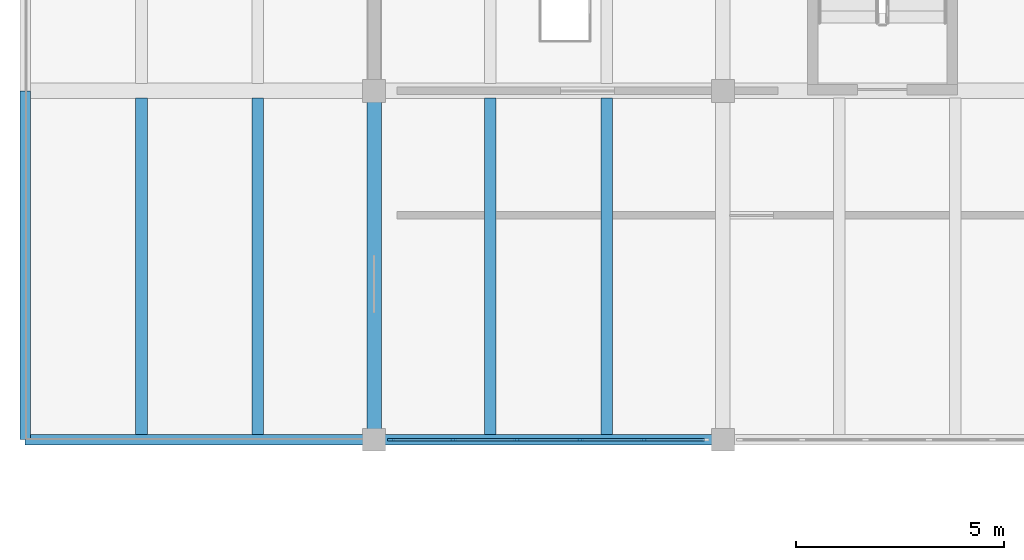
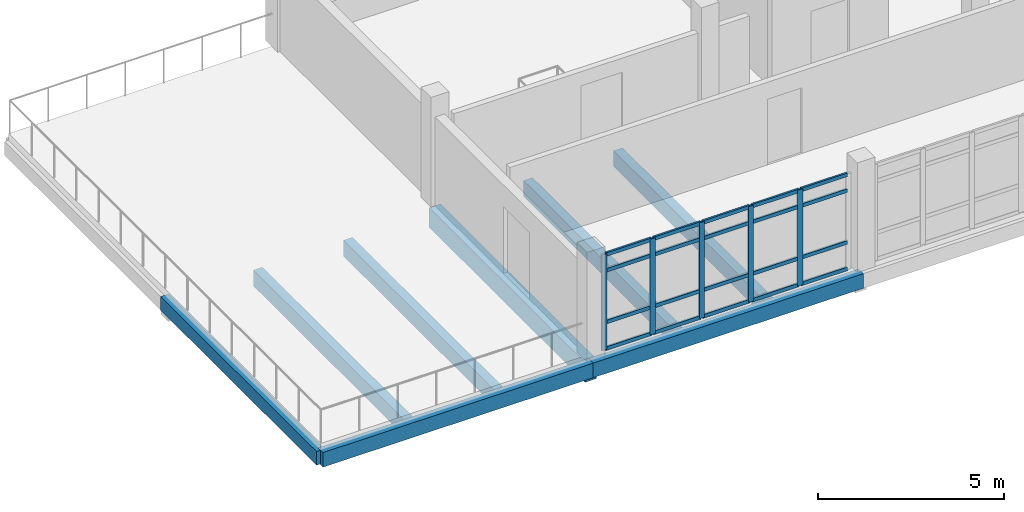
# One storey, part 3 of 30: 25 members, 8 beams, 1 element without a shape of its own.
"""IFC4 building model written with IfcOpenShell, lengths in metres."""

from ifc_helpers import new_model, si_unit, direction, frame, origin, origin_2d, place, context, subcontext, project, spatial, rectangle, extrude, material, material_profile, profile_set, type_object, element, aggregate, save


model = new_model("IFC4")

# Units and contexts
model_context = context("Model", 3, precision=1e-05, world=origin(), true_north=direction((0.0, 1.0)))
body_context = subcontext(model_context, "Body", "Model", "MODEL_VIEW")
ifc_project = project(units=[si_unit("LENGTHUNIT", "METRE"), si_unit("AREAUNIT", "SQUARE_METRE"), si_unit("VOLUMEUNIT", "CUBIC_METRE"), si_unit("PLANEANGLEUNIT", "RADIAN"), si_unit("MASSUNIT", "GRAM", prefix="KILO")], contexts=[model_context])

# Site, building, storey
site_placement = place(None, origin())
site = spatial("IfcSite", under=ifc_project, at=site_placement, CompositionType="ELEMENT")
building_placement = place(site_placement, origin())
building = spatial("IfcBuilding", under=site, at=building_placement, Name="Cinderway Yard Community Centre", CompositionType="ELEMENT")
storey_placement = place(building_placement, frame((0.0, 0.0, 16.5)))
storey = spatial("IfcBuildingStorey", under=building, at=storey_placement, Name="L04", CompositionType="ELEMENT", Elevation=16.5)

# Curtain wall, members
ifc_material_1 = material(Name="Aluminium 6063-T6", Category="aluminium")
curtain_wall_type = type_object("IfcCurtainWallType", Name="ENV-CW-TYPE-32", PredefinedType="USERDEFINED", material=ifc_material_1)
curtain_wall_placement = place(storey_placement, origin())
curtain_wall = element("IfcCurtainWall", 1, at=curtain_wall_placement, inside=storey, type_object=curtain_wall_type, Name="V4 Courtyard Curtain Wall ENV-CW-L04-ST-0177", ObjectType="GLAZED CURTAIN WALL", PredefinedType="USERDEFINED")
ifc_material_profile_1 = material_profile(ifc_material_1, rectangle(XDim=0.06005859375, YDim=0.159912109375, at=origin_2d()), Name="Aluminium 6063-T6")
ifc_profile_set_1 = profile_set([ifc_material_profile_1], Name="Aluminium 6063-T6")
member_type_1 = type_object("IfcMemberType", Name="ENV-CW-MULL-150", PredefinedType="MULLION", material=ifc_profile_set_1)
member_1_placement = place(storey_placement, frame((50.409912109375, 98.39990234375, 0.0), z_axis=(0.0, 0.0, 1.0), x_axis=(0.0, 1.0, 0.0)))
member_1 = element("IfcMember", 2, at=member_1_placement, type_object=member_type_1, Name="CW-32 mullion 1", PredefinedType="MULLION", context=body_context, shape_type="SweptSolid", body=[
    extrude(rectangle(XDim=0.06005859375, YDim=0.159912109375, at=origin_2d()), origin(), (0.0, 0.0, 1.0), 3.14990234375),
])
member_2_placement = place(storey_placement, frame((51.907958984375, 98.39990234375, 0.0), z_axis=(0.0, 0.0, 1.0), x_axis=(0.0, 1.0, 0.0)))
member_2 = element("IfcMember", 3, at=member_2_placement, type_object=member_type_1, Name="CW-32 mullion 2", PredefinedType="MULLION", context=body_context, shape_type="SweptSolid", body=[
    extrude(rectangle(XDim=0.06005859375, YDim=0.159912109375, at=origin_2d()), origin(), (0.0, 0.0, 1.0), 3.14990234375),
])
member_3_placement = place(storey_placement, frame((53.43603515625, 98.39990234375, 0.0), z_axis=(0.0, 0.0, 1.0), x_axis=(0.0, 1.0, 0.0)))
member_3 = element("IfcMember", 4, at=member_3_placement, type_object=member_type_1, Name="CW-32 mullion 3", PredefinedType="MULLION", context=body_context, shape_type="SweptSolid", body=[
    extrude(rectangle(XDim=0.06005859375, YDim=0.159912109375, at=origin_2d()), origin(), (0.0, 0.0, 1.0), 3.14990234375),
])
member_4_placement = place(storey_placement, frame((54.964111328125, 98.39990234375, 0.0), z_axis=(0.0, 0.0, 1.0), x_axis=(0.0, 1.0, 0.0)))
member_4 = element("IfcMember", 5, at=member_4_placement, type_object=member_type_1, Name="CW-32 mullion 4", PredefinedType="MULLION", context=body_context, shape_type="SweptSolid", body=[
    extrude(rectangle(XDim=0.06005859375, YDim=0.159912109375, at=origin_2d()), origin(), (0.0, 0.0, 1.0), 3.14990234375),
])
member_5_placement = place(storey_placement, frame((56.491943359375, 98.39990234375, 0.0), z_axis=(0.0, 0.0, 1.0), x_axis=(0.0, 1.0, 0.0)))
member_5 = element("IfcMember", 6, at=member_5_placement, type_object=member_type_1, Name="CW-32 mullion 5", PredefinedType="MULLION", context=body_context, shape_type="SweptSolid", body=[
    extrude(rectangle(XDim=0.06005859375, YDim=0.159912109375, at=origin_2d()), origin(), (0.0, 0.0, 1.0), 3.14990234375),
])
ifc_material_profile_2 = material_profile(ifc_material_1, rectangle(XDim=0.06005859375, YDim=0.1201171875, at=origin_2d()), Name="Aluminium 6063-T6")
ifc_profile_set_2 = profile_set([ifc_material_profile_2], Name="Aluminium 6063-T6")
member_type_2 = type_object("IfcMemberType", Name="ENV-CW-TRAN-110", PredefinedType="USERDEFINED", material=ifc_profile_set_2)
member_6_placement = place(storey_placement, frame((50.43994140625, 98.39990234375, 0.030029296875), z_axis=(1.0, 0.0, 0.0), x_axis=(0.0, 1.0, 0.0)))
member_6 = element("IfcMember", 7, at=member_6_placement, type_object=member_type_2, Name="CW-32 transom 1.1", ObjectType="TRANSOM", PredefinedType="USERDEFINED", context=body_context, shape_type="SweptSolid", body=[
    extrude(rectangle(XDim=0.06005859375, YDim=0.1201171875, at=origin_2d()), origin(), (0.0, 0.0, 1.0), 1.43798828125),
])
member_7_placement = place(storey_placement, frame((50.43994140625, 98.39990234375, 0.89990234375), z_axis=(1.0, 0.0, 0.0), x_axis=(0.0, 1.0, 0.0)))
member_7 = element("IfcMember", 8, at=member_7_placement, type_object=member_type_2, Name="CW-32 transom 1.2", ObjectType="TRANSOM", PredefinedType="USERDEFINED", context=body_context, shape_type="SweptSolid", body=[
    extrude(rectangle(XDim=0.06005859375, YDim=0.1201171875, at=origin_2d()), origin(), (0.0, 0.0, 1.0), 1.43798828125),
])
member_8_placement = place(storey_placement, frame((50.43994140625, 98.39990234375, 2.60009765625), z_axis=(1.0, 0.0, 0.0), x_axis=(0.0, 1.0, 0.0)))
member_8 = element("IfcMember", 9, at=member_8_placement, type_object=member_type_2, Name="CW-32 transom 1.3", ObjectType="TRANSOM", PredefinedType="USERDEFINED", context=body_context, shape_type="SweptSolid", body=[
    extrude(rectangle(XDim=0.06005859375, YDim=0.1201171875, at=origin_2d()), origin(), (0.0, 0.0, 1.0), 1.43798828125),
])
member_9_placement = place(storey_placement, frame((50.43994140625, 98.39990234375, 3.1201171875), z_axis=(1.0, 0.0, 0.0), x_axis=(0.0, 1.0, 0.0)))
member_9 = element("IfcMember", 10, at=member_9_placement, type_object=member_type_2, Name="CW-32 transom 1.4", ObjectType="TRANSOM", PredefinedType="USERDEFINED", context=body_context, shape_type="SweptSolid", body=[
    extrude(rectangle(XDim=0.06005859375, YDim=0.1201171875, at=origin_2d()), origin(), (0.0, 0.0, 1.0), 1.43798828125),
])
member_10_placement = place(storey_placement, frame((51.93798828125, 98.39990234375, 0.030029296875), z_axis=(1.0, 0.0, 0.0), x_axis=(0.0, 1.0, 0.0)))
member_10 = element("IfcMember", 11, at=member_10_placement, type_object=member_type_2, Name="CW-32 transom 2.1", ObjectType="TRANSOM", PredefinedType="USERDEFINED", context=body_context, shape_type="SweptSolid", body=[
    extrude(rectangle(XDim=0.06005859375, YDim=0.1201171875, at=origin_2d()), origin(), (0.0, 0.0, 1.0), 1.468017578125),
])
member_11_placement = place(storey_placement, frame((51.93798828125, 98.39990234375, 0.89990234375), z_axis=(1.0, 0.0, 0.0), x_axis=(0.0, 1.0, 0.0)))
member_11 = element("IfcMember", 12, at=member_11_placement, type_object=member_type_2, Name="CW-32 transom 2.2", ObjectType="TRANSOM", PredefinedType="USERDEFINED", context=body_context, shape_type="SweptSolid", body=[
    extrude(rectangle(XDim=0.06005859375, YDim=0.1201171875, at=origin_2d()), origin(), (0.0, 0.0, 1.0), 1.468017578125),
])
member_12_placement = place(storey_placement, frame((51.93798828125, 98.39990234375, 2.60009765625), z_axis=(1.0, 0.0, 0.0), x_axis=(0.0, 1.0, 0.0)))
member_12 = element("IfcMember", 13, at=member_12_placement, type_object=member_type_2, Name="CW-32 transom 2.3", ObjectType="TRANSOM", PredefinedType="USERDEFINED", context=body_context, shape_type="SweptSolid", body=[
    extrude(rectangle(XDim=0.06005859375, YDim=0.1201171875, at=origin_2d()), origin(), (0.0, 0.0, 1.0), 1.468017578125),
])
member_13_placement = place(storey_placement, frame((51.93798828125, 98.39990234375, 3.1201171875), z_axis=(1.0, 0.0, 0.0), x_axis=(0.0, 1.0, 0.0)))
member_13 = element("IfcMember", 14, at=member_13_placement, type_object=member_type_2, Name="CW-32 transom 2.4", ObjectType="TRANSOM", PredefinedType="USERDEFINED", context=body_context, shape_type="SweptSolid", body=[
    extrude(rectangle(XDim=0.06005859375, YDim=0.1201171875, at=origin_2d()), origin(), (0.0, 0.0, 1.0), 1.468017578125),
])
member_14_placement = place(storey_placement, frame((53.466064453125, 98.39990234375, 0.030029296875), z_axis=(1.0, 0.0, 0.0), x_axis=(0.0, 1.0, 0.0)))
member_14 = element("IfcMember", 15, at=member_14_placement, type_object=member_type_2, Name="CW-32 transom 3.1", ObjectType="TRANSOM", PredefinedType="USERDEFINED", context=body_context, shape_type="SweptSolid", body=[
    extrude(rectangle(XDim=0.06005859375, YDim=0.1201171875, at=origin_2d()), origin(), (0.0, 0.0, 1.0), 1.468017578125),
])
member_15_placement = place(storey_placement, frame((53.466064453125, 98.39990234375, 0.89990234375), z_axis=(1.0, 0.0, 0.0), x_axis=(0.0, 1.0, 0.0)))
member_15 = element("IfcMember", 16, at=member_15_placement, type_object=member_type_2, Name="CW-32 transom 3.2", ObjectType="TRANSOM", PredefinedType="USERDEFINED", context=body_context, shape_type="SweptSolid", body=[
    extrude(rectangle(XDim=0.06005859375, YDim=0.1201171875, at=origin_2d()), origin(), (0.0, 0.0, 1.0), 1.468017578125),
])
member_16_placement = place(storey_placement, frame((53.466064453125, 98.39990234375, 2.60009765625), z_axis=(1.0, 0.0, 0.0), x_axis=(0.0, 1.0, 0.0)))
member_16 = element("IfcMember", 17, at=member_16_placement, type_object=member_type_2, Name="CW-32 transom 3.3", ObjectType="TRANSOM", PredefinedType="USERDEFINED", context=body_context, shape_type="SweptSolid", body=[
    extrude(rectangle(XDim=0.06005859375, YDim=0.1201171875, at=origin_2d()), origin(), (0.0, 0.0, 1.0), 1.468017578125),
])
member_17_placement = place(storey_placement, frame((53.466064453125, 98.39990234375, 3.1201171875), z_axis=(1.0, 0.0, 0.0), x_axis=(0.0, 1.0, 0.0)))
member_17 = element("IfcMember", 18, at=member_17_placement, type_object=member_type_2, Name="CW-32 transom 3.4", ObjectType="TRANSOM", PredefinedType="USERDEFINED", context=body_context, shape_type="SweptSolid", body=[
    extrude(rectangle(XDim=0.06005859375, YDim=0.1201171875, at=origin_2d()), origin(), (0.0, 0.0, 1.0), 1.468017578125),
])
member_18_placement = place(storey_placement, frame((54.993896484375, 98.39990234375, 0.030029296875), z_axis=(1.0, 0.0, 0.0), x_axis=(0.0, 1.0, 0.0)))
member_18 = element("IfcMember", 19, at=member_18_placement, type_object=member_type_2, Name="CW-32 transom 4.1", ObjectType="TRANSOM", PredefinedType="USERDEFINED", context=body_context, shape_type="SweptSolid", body=[
    extrude(rectangle(XDim=0.06005859375, YDim=0.1201171875, at=origin_2d()), origin(), (0.0, 0.0, 1.0), 1.468017578125),
])
member_19_placement = place(storey_placement, frame((54.993896484375, 98.39990234375, 0.89990234375), z_axis=(1.0, 0.0, 0.0), x_axis=(0.0, 1.0, 0.0)))
member_19 = element("IfcMember", 20, at=member_19_placement, type_object=member_type_2, Name="CW-32 transom 4.2", ObjectType="TRANSOM", PredefinedType="USERDEFINED", context=body_context, shape_type="SweptSolid", body=[
    extrude(rectangle(XDim=0.06005859375, YDim=0.1201171875, at=origin_2d()), origin(), (0.0, 0.0, 1.0), 1.468017578125),
])
member_20_placement = place(storey_placement, frame((54.993896484375, 98.39990234375, 2.60009765625), z_axis=(1.0, 0.0, 0.0), x_axis=(0.0, 1.0, 0.0)))
member_20 = element("IfcMember", 21, at=member_20_placement, type_object=member_type_2, Name="CW-32 transom 4.3", ObjectType="TRANSOM", PredefinedType="USERDEFINED", context=body_context, shape_type="SweptSolid", body=[
    extrude(rectangle(XDim=0.06005859375, YDim=0.1201171875, at=origin_2d()), origin(), (0.0, 0.0, 1.0), 1.468017578125),
])
member_21_placement = place(storey_placement, frame((54.993896484375, 98.39990234375, 3.1201171875), z_axis=(1.0, 0.0, 0.0), x_axis=(0.0, 1.0, 0.0)))
member_21 = element("IfcMember", 22, at=member_21_placement, type_object=member_type_2, Name="CW-32 transom 4.4", ObjectType="TRANSOM", PredefinedType="USERDEFINED", context=body_context, shape_type="SweptSolid", body=[
    extrude(rectangle(XDim=0.06005859375, YDim=0.1201171875, at=origin_2d()), origin(), (0.0, 0.0, 1.0), 1.468017578125),
])
member_22_placement = place(storey_placement, frame((56.52197265625, 98.39990234375, 0.030029296875), z_axis=(1.0, 0.0, 0.0), x_axis=(0.0, 1.0, 0.0)))
member_22 = element("IfcMember", 23, at=member_22_placement, type_object=member_type_2, Name="CW-32 transom 5.1", ObjectType="TRANSOM", PredefinedType="USERDEFINED", context=body_context, shape_type="SweptSolid", body=[
    extrude(rectangle(XDim=0.06005859375, YDim=0.1201171875, at=origin_2d()), origin(), (0.0, 0.0, 1.0), 1.43798828125),
])
member_23_placement = place(storey_placement, frame((56.52197265625, 98.39990234375, 0.89990234375), z_axis=(1.0, 0.0, 0.0), x_axis=(0.0, 1.0, 0.0)))
member_23 = element("IfcMember", 24, at=member_23_placement, type_object=member_type_2, Name="CW-32 transom 5.2", ObjectType="TRANSOM", PredefinedType="USERDEFINED", context=body_context, shape_type="SweptSolid", body=[
    extrude(rectangle(XDim=0.06005859375, YDim=0.1201171875, at=origin_2d()), origin(), (0.0, 0.0, 1.0), 1.43798828125),
])
member_24_placement = place(storey_placement, frame((56.52197265625, 98.39990234375, 2.60009765625), z_axis=(1.0, 0.0, 0.0), x_axis=(0.0, 1.0, 0.0)))
member_24 = element("IfcMember", 25, at=member_24_placement, type_object=member_type_2, Name="CW-32 transom 5.3", ObjectType="TRANSOM", PredefinedType="USERDEFINED", context=body_context, shape_type="SweptSolid", body=[
    extrude(rectangle(XDim=0.06005859375, YDim=0.1201171875, at=origin_2d()), origin(), (0.0, 0.0, 1.0), 1.43798828125),
])
member_25_placement = place(storey_placement, frame((56.52197265625, 98.39990234375, 3.1201171875), z_axis=(1.0, 0.0, 0.0), x_axis=(0.0, 1.0, 0.0)))
member_25 = element("IfcMember", 26, at=member_25_placement, type_object=member_type_2, Name="CW-32 transom 5.4", ObjectType="TRANSOM", PredefinedType="USERDEFINED", context=body_context, shape_type="SweptSolid", body=[
    extrude(rectangle(XDim=0.06005859375, YDim=0.1201171875, at=origin_2d()), origin(), (0.0, 0.0, 1.0), 1.43798828125),
])
aggregate(curtain_wall, [member_1, member_2, member_3, member_4, member_5, member_6, member_7, member_8, member_9, member_10, member_11, member_12, member_13, member_14, member_15, member_16, member_17, member_18, member_19, member_20, member_21, member_22, member_23, member_24, member_25])

# Beams
ifc_material_2 = material(Name="Concrete C40/50", Category="concrete")
ifc_material_profile_3 = material_profile(ifc_material_2, rectangle(XDim=0.25, YDim=0.449951171875, at=origin_2d()), Name="Concrete C40/50")
ifc_profile_set_3 = profile_set([ifc_material_profile_3], Name="Concrete C40/50")
beam_type_1 = type_object("IfcBeamType", Name="STR-BM-RC250X450", PredefinedType="SPANDREL", material=ifc_profile_set_3)
beam_1_placement = place(storey_placement, frame((41.60009765625, 98.39990234375, -0.445068359375), z_axis=(0.0, 1.0, 0.0), x_axis=(-1.0, 0.0, 0.0)))
element("IfcBeam", 27, at=beam_1_placement, inside=storey, type_object=beam_type_1, Name="Transverse girder STR-BM-L04-SP02-0843", PredefinedType="SPANDREL", context=body_context, shape_type="SweptSolid", body=[
    extrude(rectangle(XDim=0.25, YDim=0.449951171875, at=origin_2d()), origin(), (0.0, 0.0, 1.0), 8.400146484375),
])
ifc_material_profile_4 = material_profile(ifc_material_2, rectangle(XDim=0.260009765625, YDim=0.47998046875, at=origin_2d()), Name="Concrete C40/50")
ifc_profile_set_4 = profile_set([ifc_material_profile_4], Name="Concrete C40/50")
beam_type_2 = type_object("IfcBeamType", Name="STR-BM-RC260X480", PredefinedType="SPANDREL", material=ifc_profile_set_4)
for number, where, z_axis, x_axis, name in (
    (28, (41.60009765625, 98.39990234375, -0.4599609375), (1.0, 0.0, 0.0), (0.0, 1.0, 0.0), "Primary girder STR-BM-L04-SP01-0810"),
    (29, (50.0, 98.39990234375, -0.4599609375), (1.0, 0.0, 0.0), (0.0, 1.0, 0.0), "Primary girder STR-BM-L04-SP01-0811"),
):
    element("IfcBeam", number, at=place(storey_placement, frame(where, z_axis=z_axis, x_axis=x_axis)), inside=storey, type_object=beam_type_2, Name=name, PredefinedType="SPANDREL", context=body_context, shape_type="SweptSolid", body=[
        extrude(rectangle(XDim=0.260009765625, YDim=0.47998046875, at=origin_2d()), origin(), (0.0, 0.0, 1.0), 8.39990234375),
    ])
ifc_material_3 = material(Name="Concrete C35/45", Category="concrete")
ifc_material_profile_5 = material_profile(ifc_material_3, rectangle(XDim=0.280029296875, YDim=0.52001953125, at=origin_2d()), Name="Concrete C35/45")
ifc_profile_set_5 = profile_set([ifc_material_profile_5], Name="Concrete C35/45")
beam_type_3 = type_object("IfcBeamType", Name="STR-BM-RC280X520", PredefinedType="JOIST", material=ifc_profile_set_5)
for number, where, z_axis, x_axis, name in (
    (30, (44.39990234375, 98.511962890625, -0.47998046875), (0.0, 1.0, 0.0), (-1.0, 0.0, 0.0), "Secondary joist STR-BM-L04-BJ04-0867"),
    (31, (47.199951171875, 98.511962890625, -0.47998046875), (0.0, 1.0, 0.0), (-1.0, 0.0, 0.0), "Secondary joist STR-BM-L04-BJ04-0868"),
    (32, (52.800048828125, 98.511962890625, -0.47998046875), (0.0, 1.0, 0.0), (-1.0, 0.0, 0.0), "Secondary joist STR-BM-L04-BJ04-0871"),
    (33, (55.60009765625, 98.511962890625, -0.47998046875), (0.0, 1.0, 0.0), (-1.0, 0.0, 0.0), "Secondary joist STR-BM-L04-BJ04-0872"),
):
    element("IfcBeam", number, at=place(storey_placement, frame(where, z_axis=z_axis, x_axis=x_axis)), inside=storey, type_object=beam_type_3, Name=name, PredefinedType="JOIST", context=body_context, shape_type="SweptSolid", body=[
        extrude(rectangle(XDim=0.280029296875, YDim=0.52001953125, at=origin_2d()), origin(), (0.0, 0.0, 1.0), 8.115966796875),
    ])
ifc_material_profile_6 = material_profile(ifc_material_3, rectangle(XDim=0.35009765625, YDim=0.64990234375, at=origin_2d()), Name="Concrete C35/45")
ifc_profile_set_6 = profile_set([ifc_material_profile_6], Name="Concrete C35/45")
beam_type_4 = type_object("IfcBeamType", Name="STR-BM-RC350X650", PredefinedType="BEAM", material=ifc_profile_set_6)
beam_2_placement = place(storey_placement, frame((50.0, 98.39990234375, -0.544921875), z_axis=(0.0, 1.0, 0.0), x_axis=(-1.0, 0.0, 0.0)))
element("IfcBeam", 34, at=beam_2_placement, inside=storey, type_object=beam_type_4, Name="Transverse girder STR-BM-L04-BG08-0845", PredefinedType="BEAM", context=body_context, shape_type="SweptSolid", body=[
    extrude(rectangle(XDim=0.35009765625, YDim=0.64990234375, at=origin_2d()), origin(), (0.0, 0.0, 1.0), 8.400146484375),
])

save(model, "model.ifc")
